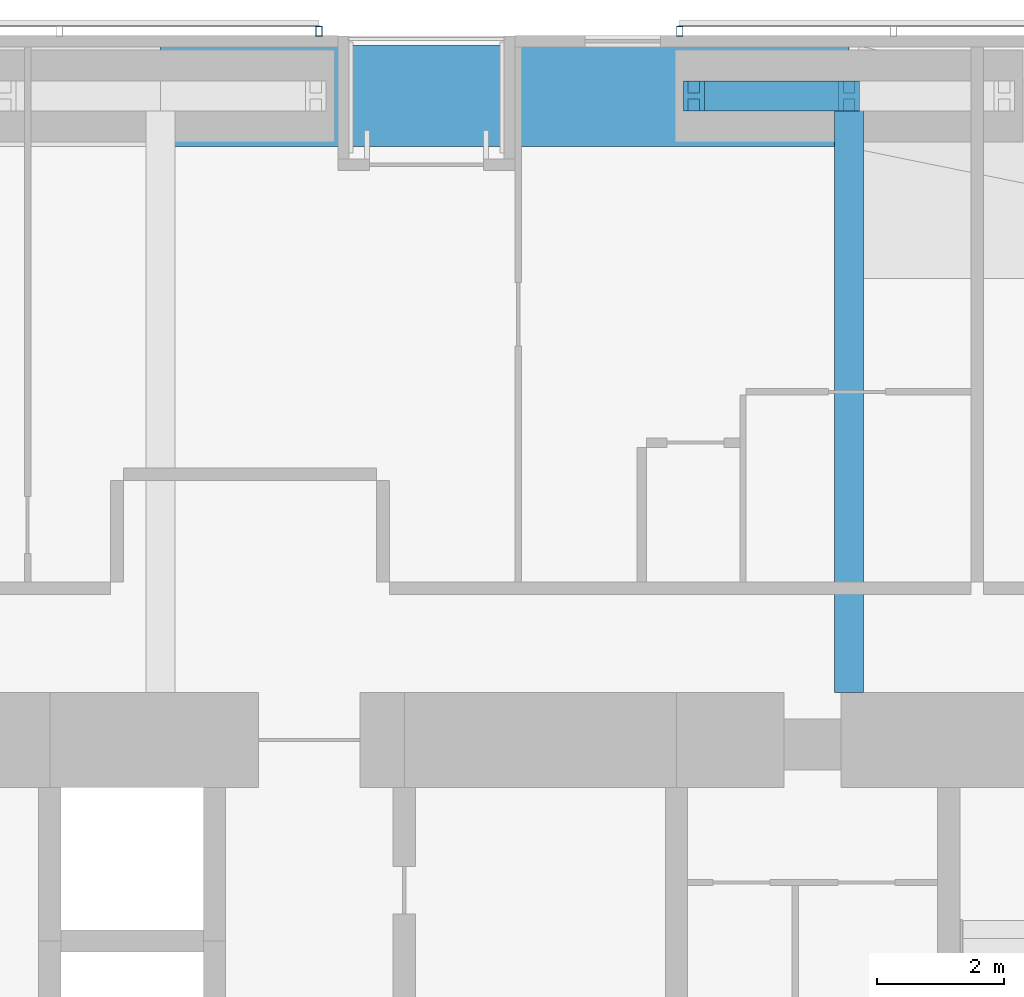
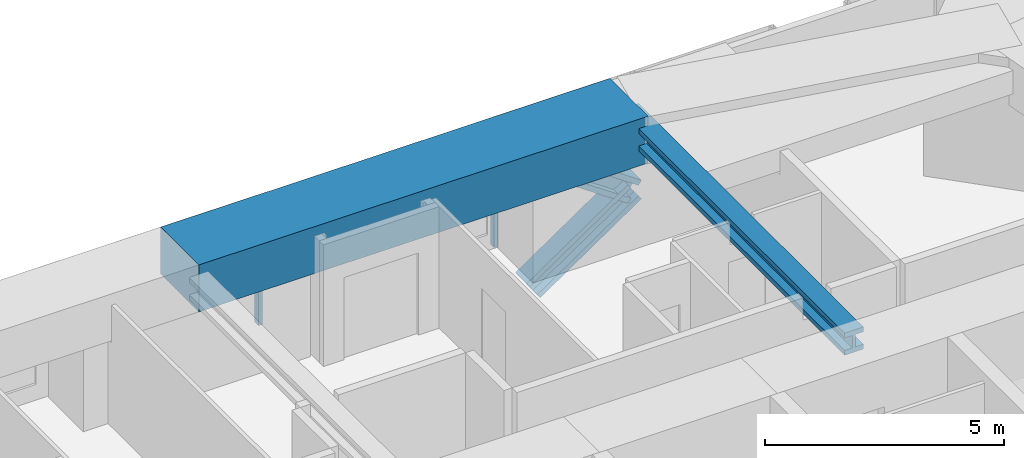
# One storey, part 13 of 23: 4 members, 2 beams, 2 elements without a shape of their own.
"""IFC4 building model written with IfcOpenShell, lengths in metres."""

from ifc_helpers import new_model, si_unit, direction, frame, origin, origin_2d, place, context, subcontext, project, spatial, rectangle, hollow_rectangle, i_section, extrude, material, material_profile, profile_set, type_object, element, aggregate, save


model = new_model("IFC4")

# Units and contexts
model_context = context("Model", 3, precision=1e-05, world=origin(), true_north=direction((0.0, 1.0)))
body_context = subcontext(model_context, "Body", "Model", "MODEL_VIEW")
ifc_project = project(units=[si_unit("LENGTHUNIT", "METRE"), si_unit("AREAUNIT", "SQUARE_METRE"), si_unit("VOLUMEUNIT", "CUBIC_METRE"), si_unit("PLANEANGLEUNIT", "RADIAN"), si_unit("MASSUNIT", "GRAM", prefix="KILO")], contexts=[model_context])

# Site, building, storey
site_placement = place(None, origin())
site = spatial("IfcSite", under=ifc_project, at=site_placement, CompositionType="ELEMENT")
building_placement = place(site_placement, origin())
building = spatial("IfcBuilding", under=site, at=building_placement, Name="Jalousie Tower", CompositionType="ELEMENT")
storey_placement = place(building_placement, frame((0.0, 0.0, 104.85009765625)))
storey = spatial("IfcBuildingStorey", under=building, at=storey_placement, Name="L28", CompositionType="ELEMENT", Elevation=104.85009765625)

# Beam
ifc_material_1 = material(Name="Steel ASTM A992 Grade 50", Category="steel")
ifc_material_profile_1 = material_profile(ifc_material_1, i_section(OverallWidth=0.45458984375, OverallDepth=0.569091796875, WebThickness=0.077880859375, FlangeThickness=0.124755859375, at=origin_2d()), Name="W14X730")
ifc_profile_set_1 = profile_set([ifc_material_profile_1], Name="Steel ASTM A992 Grade 50")
beam_type_1 = type_object("IfcBeamType", Name="LEAN COLLECTOR W14X730", PredefinedType="BEAM", material=ifc_profile_set_1)
beam_1_placement = place(storey_placement, frame((38.625, 37.050048828125, 2.825439453125), z_axis=(0.0, -1.0, 0.0), x_axis=(1.0, 0.0, 0.0)))
element("IfcBeam", 1, at=beam_1_placement, inside=storey, type_object=beam_type_1, Name="Lean collector under L29", PredefinedType="BEAM", context=body_context, shape_type="SweptSolid", body=[
    extrude(i_section(OverallWidth=0.45458984375, OverallDepth=0.569091796875, WebThickness=0.077880859375, FlangeThickness=0.124755859375, at=origin_2d()), origin(), (0.0, 0.0, 1.0), 9.425048828125),
])

# Members
ifc_material_2 = material(Name="Steel ASTM A992 Grade 50", Category="steel")
ifc_material_profile_2 = material_profile(ifc_material_2, i_section(OverallWidth=0.472412109375, OverallDepth=0.5791015625, WebThickness=0.094970703125, FlangeThickness=0.1298828125, at=origin_2d()), Name="W14X808")
ifc_profile_set_2 = profile_set([ifc_material_profile_2], Name="Steel ASTM A992 Grade 50")
member_type_1 = type_object("IfcMemberType", Name="PERIMETER BRACE W14X808", PredefinedType="BRACE", material=ifc_profile_set_2)
for number, where, z_axis, x_axis, name in (
    (2, (36.175048828125, 37.050048828125, -0.60009765625), (0.825500916831, 0.0, 0.564400776321), (0.0, 1.0, 0.0), "Perimeter brace 09 L28 part 1"),
    (3, (38.625, 37.050048828125, 1.074951171875), (-0.825500916831, 0.0, 0.564400776321), (0.0, -1.0, 0.0), "Perimeter brace 09 L28 part 4"),
):
    element("IfcMember", number, at=place(storey_placement, frame(where, z_axis=z_axis, x_axis=x_axis)), inside=storey, type_object=member_type_1, Name=name, PredefinedType="BRACE", context=body_context, shape_type="SweptSolid", body=[
        extrude(i_section(OverallWidth=0.472412109375, OverallDepth=0.5791015625, WebThickness=0.094970703125, FlangeThickness=0.1298828125, at=origin_2d()), origin(), (0.0, 0.0, 1.0), 2.9677734375),
    ])

# Beam
ifc_material_3 = material(Name="Concrete f'c 40 MPa", Category="concrete")
ifc_material_profile_3 = material_profile(ifc_material_3, rectangle(XDim=1.60009765625, YDim=1.199951171875, at=origin_2d()), Name="RC 1600x1200")
ifc_profile_set_3 = profile_set([ifc_material_profile_3], Name="Concrete f'c 40 MPa")
beam_type_2 = type_object("IfcBeamType", Name="RC BEAM 1600x1200", PredefinedType="BEAM", material=ifc_profile_set_3)
beam_2_placement = place(storey_placement, frame((38.625, 37.050048828125, 2.75), z_axis=(-1.0, 0.0, 0.0), x_axis=(0.0, -1.0, 0.0)))
element("IfcBeam", 4, at=beam_2_placement, inside=storey, type_object=beam_type_2, Name="Edge band beam 09-10 under L29", PredefinedType="BEAM", context=body_context, shape_type="SweptSolid", body=[
    extrude(rectangle(XDim=1.60009765625, YDim=1.199951171875, at=origin_2d()), origin(), (0.0, 0.0, 1.0), 10.875),
])

# Curtain wall, member
ifc_material_4 = material(Name="Perforated aluminium sheet", Category="aluminium")
curtain_wall_type = type_object("IfcCurtainWallType", Name="SOLAR SCREEN SS-1", PredefinedType="USERDEFINED", material=ifc_material_4)
curtain_wall_1_placement = place(storey_placement, origin())
curtain_wall_1 = element("IfcCurtainWall", 5, at=curtain_wall_1_placement, inside=storey, type_object=curtain_wall_type, Name="Solar screen L28", ObjectType="SOLAR SCREEN SS-1", PredefinedType="USERDEFINED")
ifc_material_5 = material(Name="Steel ASTM A500 Grade C", Category="steel")
ifc_material_profile_4 = material_profile(ifc_material_5, hollow_rectangle(XDim=0.1015625, YDim=0.15234375, WallThickness=0.00634765625, at=origin_2d()), Name="HSS6X4X1/4")
ifc_profile_set_4 = profile_set([ifc_material_profile_4], Name="Steel ASTM A500 Grade C")
member_type_2 = type_object("IfcMemberType", Name="SOLAR SCREEN SS-1 MULLION", PredefinedType="MULLION", material=ifc_profile_set_4)
member_1_placement = place(storey_placement, frame((35.950439453125, 38.0712890625, -0.1201171875), z_axis=(0.0, 0.0, 1.0), x_axis=(-1.0, 0.0, 0.0)))
member_1 = element("IfcMember", 6, at=member_1_placement, type_object=member_type_2, Name="SS1 post 3", PredefinedType="MULLION", context=body_context, shape_type="SweptSolid", body=[
    extrude(hollow_rectangle(XDim=0.1015625, YDim=0.15234375, WallThickness=0.00634765625, at=origin_2d()), origin(), (0.0, 0.0, 1.0), 3.22998046875),
])
aggregate(curtain_wall_1, [member_1])

curtain_wall_2_placement = place(storey_placement, origin())
curtain_wall_2 = element("IfcCurtainWall", 7, at=curtain_wall_2_placement, inside=storey, type_object=curtain_wall_type, Name="Solar screen L28", ObjectType="SOLAR SCREEN SS-1", PredefinedType="USERDEFINED")
member_2_placement = place(storey_placement, frame((30.25048828125, 38.0712890625, -0.1201171875), z_axis=(0.0, 0.0, 1.0), x_axis=(-1.0, 0.0, 0.0)))
member_2 = element("IfcMember", 8, at=member_2_placement, type_object=member_type_2, Name="SS1 post 1", PredefinedType="MULLION", context=body_context, shape_type="SweptSolid", body=[
    extrude(hollow_rectangle(XDim=0.1015625, YDim=0.15234375, WallThickness=0.00634765625, at=origin_2d()), origin(), (0.0, 0.0, 1.0), 3.22998046875),
])
aggregate(curtain_wall_2, [member_2])

save(model, "model.ifc")
